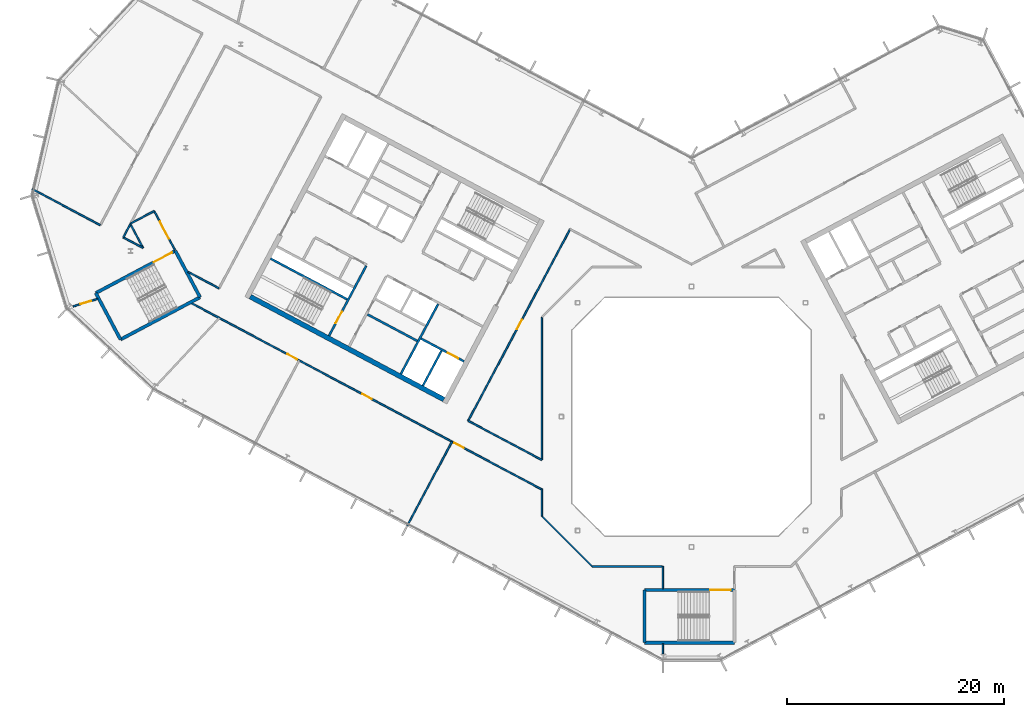
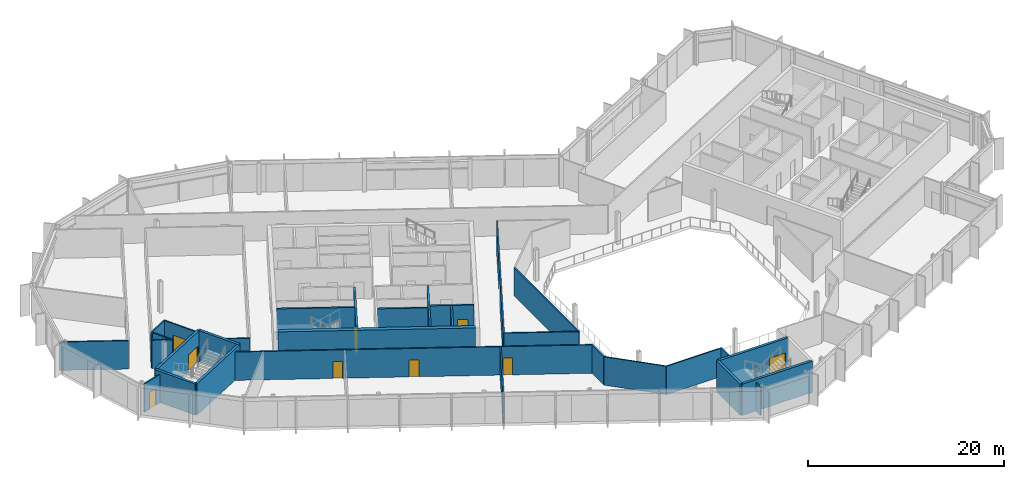
# One storey, part 12 of 25: 32 walls, 10 doors, 10 openings.
"""IFC4 building model written with IfcOpenShell, lengths in metres."""

from ifc_helpers import new_model, si_unit, direction, frame, frame_2d, origin, place, context, subcontext, project, spatial, rectangle, extrude, material, layer, layer_set, type_object, element, fill, save


model = new_model("IFC4")

# Units and contexts
model_context = context("Model", 3, precision=1e-05, world=origin(), true_north=direction((0.0, 1.0)))
body_context = subcontext(model_context, "Body", "Model", "MODEL_VIEW")
ifc_project = project(units=[si_unit("LENGTHUNIT", "METRE"), si_unit("AREAUNIT", "SQUARE_METRE"), si_unit("VOLUMEUNIT", "CUBIC_METRE"), si_unit("PLANEANGLEUNIT", "RADIAN"), si_unit("MASSUNIT", "GRAM", prefix="KILO")], contexts=[model_context])

# Site, building, storey
site_placement = place(None, origin())
site = spatial("IfcSite", under=ifc_project, at=site_placement, CompositionType="ELEMENT")
building_placement = place(site_placement, origin())
building = spatial("IfcBuilding", under=site, at=building_placement, Name="Cormorant Relay Tower", CompositionType="ELEMENT")
storey_placement = place(building_placement, frame((0.0, 0.0, 297.0)))
storey = spatial("IfcBuildingStorey", under=building, at=storey_placement, Name="L67", CompositionType="ELEMENT", Elevation=297.0)

# Walls
ifc_material_1 = material(Name="Concrete 40 MPa", Category="concrete")
ifc_layer_1 = layer(ifc_material_1, 0.199951171875)
ifc_layer_set_1 = layer_set([ifc_layer_1], Name="Core internal wall 200")
wall_type_1 = type_object("IfcWallType", Name="Core internal wall 200", PredefinedType="SOLIDWALL", material=ifc_layer_set_1)
wall_1_placement = place(storey_placement, frame((-25.279541015625, 6.985595703125, 0.0), z_axis=(0.0, 0.0, 1.0), x_axis=(-0.882934506056, 0.469496174655, 0.0)))
element("IfcWall", 1, at=wall_1_placement, inside=storey, type_object=wall_type_1, Name="L67 core A shaft and room wall", PredefinedType="SOLIDWALL", context=body_context, shape_type="SweptSolid", body=[
    extrude(rectangle(XDim=5.199951171875, YDim=0.199951171875, at=frame_2d((2.60009765625, 0.0))), origin(), (0.0, 0.0, 1.0), 3.89990234375),
])
ifc_material_2 = material(Name="Concrete 50 MPa", Category="concrete")
ifc_layer_2 = layer(ifc_material_2, 0.199951171875)
ifc_layer_set_2 = layer_set([ifc_layer_2], Name="Core shaft wall 200")
wall_type_2 = type_object("IfcWallType", Name="Core shaft wall 200", PredefinedType="SHEAR", material=ifc_layer_set_2)
wall_2_placement = place(storey_placement, frame((-23.04296875, 6.07958984375, 0.0), z_axis=(0.0, 0.0, 1.0), x_axis=(-0.469494272526, -0.882935517501, 0.0)))
element("IfcWall", 2, at=wall_2_placement, inside=storey, type_object=wall_type_2, Name="L67 core A shaft wall", PredefinedType="SHEAR", context=body_context, shape_type="SweptSolid", body=[
    extrude(rectangle(XDim=3.64990234375, YDim=0.199951171875, at=frame_2d((1.824951171875, 0.0))), origin(), (0.0, 0.0, 1.0), 3.89990234375),
])
wall_3_placement = place(storey_placement, frame((-23.360107421875, 10.38232421875, 0.0), z_axis=(0.0, 0.0, 1.0), x_axis=(-0.469480409012, -0.88294288918, 0.0)))
element("IfcWall", 3, at=wall_3_placement, inside=storey, type_object=wall_type_2, Name="L67 core A shaft wall", PredefinedType="SHEAR", context=body_context, shape_type="SweptSolid", body=[
    extrude(rectangle(XDim=7.300048828125, YDim=0.199951171875, at=frame_2d((3.64990234375, 0.0))), origin(), (0.0, 0.0, 1.0), 3.89990234375),
])

# Wall, opening, door
wall_4_placement = place(storey_placement, frame((-29.982421875, 13.9033203125, 0.0), z_axis=(0.0, 0.0, 1.0), x_axis=(-0.469454336211, -0.882956752176, 0.0)))
wall_4 = element("IfcWall", 4, at=wall_4_placement, inside=storey, type_object=wall_type_2, Name="L67 core A shaft wall", PredefinedType="SHEAR", context=body_context, shape_type="SweptSolid", body=[
    extrude(rectangle(XDim=7.300048828125, YDim=0.199951171875, at=frame_2d((3.64990234375, 0.0))), origin(), (0.0, 0.0, 1.0), 3.89990234375),
])
opening_1_placement = place(wall_4_placement, frame((4.800048828125, 0.0, 0.0)))
opening_1 = element("IfcOpeningElement", 5, at=opening_1_placement, cuts=wall_4, Name="Opening CDB-039", PredefinedType="OPENING", context=body_context, shape_type="SweptSolid", body=[
    extrude(rectangle(XDim=1.199951171875, YDim=2.10009765625, at=frame_2d((0.60009765625, 1.050048828125))), frame((0.0, 0.10986328125, 0.0), z_axis=(0.0, -1.0, 0.0), x_axis=(1.0, 0.0, 0.0)), (0.0, 0.0, 1.0), 0.219970703125),
])
ifc_material_3 = material(Name="Steel fire door", Category="steel")
door_type_1 = type_object("IfcDoorType", Name="Core stair door 1200x2100", OperationType="SINGLE_SWING_LEFT", PredefinedType="DOOR", material=ifc_material_3)
door_1_placement = place(opening_1_placement, frame((1.199951171875, 0.0, 0.0), z_axis=(0.0, 0.0, 1.0), x_axis=(-1.0, 0.0, 0.0)))
door_1 = element("IfcDoor", 6, at=door_1_placement, inside=storey, type_object=door_type_1, Name="Core stair door 1200x2100", OperationType="SINGLE_SWING_RIGHT", OverallHeight=2.10009765625, OverallWidth=1.199951171875, PredefinedType="DOOR", context=body_context, shape_type="SweptSolid", body=[
    extrude(rectangle(XDim=1.199951171875, YDim=2.10009765625, at=frame_2d((0.60009765625, 1.050048828125))), frame((0.0, 0.02490234375, 0.0), z_axis=(0.0, -1.0, 0.0), x_axis=(1.0, 0.0, 0.0)), (0.0, 0.0, 1.0), 0.050048828125),
])
fill(opening_1, door_1)

wall_5_placement = place(storey_placement, frame((-20.96533203125, 5.088134765625, 0.0), z_axis=(0.0, 0.0, 1.0), x_axis=(-0.882925986334, 0.469512196493, 0.0)))
wall_5 = element("IfcWall", 7, at=wall_5_placement, inside=storey, type_object=wall_type_2, Name="L67 core A shaft wall", PredefinedType="SHEAR", context=body_context, shape_type="SweptSolid", body=[
    extrude(rectangle(XDim=4.5, YDim=0.199951171875, at=frame_2d((2.25, 0.0))), origin(), (0.0, 0.0, 1.0), 3.89990234375),
])
opening_2_placement = place(wall_5_placement, frame((0.60009765625, 0.0, 0.0)))
opening_2 = element("IfcOpeningElement", 8, at=opening_2_placement, cuts=wall_5, Name="Opening LD1-063", PredefinedType="OPENING", context=body_context, shape_type="SweptSolid", body=[
    extrude(rectangle(XDim=1.10009765625, YDim=2.10009765625, at=frame_2d((0.550048828125, 1.050048828125))), frame((0.0, 0.10986328125, 0.0), z_axis=(0.0, -1.0, 0.0), x_axis=(1.0, 0.0, 0.0)), (0.0, 0.0, 1.0), 0.219970703125),
])
ifc_material_4 = material(Name="Stainless steel 316", Category="steel")
door_type_2 = type_object("IfcDoorType", Name="Lift landing door 1100x2100", OperationType="DOUBLE_DOOR_SLIDING", PredefinedType="DOOR", material=ifc_material_4)
door_2_placement = place(opening_2_placement, origin())
door_2 = element("IfcDoor", 9, at=door_2_placement, inside=storey, type_object=door_type_2, Name="FF1 landing door", OperationType="DOUBLE_DOOR_SLIDING", OverallHeight=2.10009765625, OverallWidth=1.10009765625, PredefinedType="DOOR", context=body_context, shape_type="SweptSolid", body=[
    extrude(rectangle(XDim=1.10009765625, YDim=2.10009765625, at=frame_2d((0.550048828125, 1.050048828125))), frame((0.0, 0.02490234375, 0.0), z_axis=(0.0, -1.0, 0.0), x_axis=(1.0, 0.0, 0.0)), (0.0, 0.0, 1.0), 0.050048828125),
])
fill(opening_2, door_2)

# Walls
wall_6_placement = place(storey_placement, frame((-31.7373046875, 10.815673828125, 0.0), z_axis=(0.0, 0.0, 1.0), x_axis=(-0.882940221191, 0.469485426614, 0.0)))
element("IfcWall", 10, at=wall_6_placement, inside=storey, type_object=wall_type_2, Name="L67 core A shaft wall", PredefinedType="SHEAR", context=body_context, shape_type="SweptSolid", body=[
    extrude(rectangle(XDim=8.0, YDim=0.199951171875, at=frame_2d((4.0, 0.0))), origin(), (0.0, 0.0, 1.0), 3.89990234375),
])
ifc_material_5 = material(Name="Concrete 50 MPa", Category="concrete")
ifc_layer_3 = layer(ifc_material_5, 0.449951171875)
ifc_layer_set_3 = layer_set([ifc_layer_3], Name="Core wall 450")
wall_type_3 = type_object("IfcWallType", Name="Core wall 450", PredefinedType="SHEAR", material=ifc_layer_set_3)
wall_7_placement = place(storey_placement, frame((-22.83154296875, 1.578369140625, 0.0), z_axis=(0.0, 0.0, 1.0), x_axis=(-0.88294509198, 0.469476266226, 0.0)))
element("IfcWall", 11, at=wall_7_placement, inside=storey, type_object=wall_type_3, Name="L67 core A wall", PredefinedType="SHEAR", context=body_context, shape_type="SweptSolid", body=[
    extrude(rectangle(XDim=20.199951171875, YDim=0.449951171875, at=frame_2d((10.10009765625, 0.0))), origin(), (0.0, 0.0, 1.0), 3.89990234375),
])
ifc_material_6 = material(Name="Gypsum board fire partition")
ifc_layer_4 = layer(ifc_material_6, 0.14990234375)
ifc_layer_set_4 = layer_set([ifc_layer_4], Name="Corridor partition 150 EI 60")
wall_type_4 = type_object("IfcWallType", Name="Corridor partition 150 EI 60", PredefinedType="PARTITIONING", material=ifc_layer_set_4)
wall_8_placement = place(storey_placement, frame((-54.492919921875, 17.64892578125, 0.0), z_axis=(0.0, 0.0, 1.0), x_axis=(-0.882938254124, 0.469489125971, 0.0)))
element("IfcWall", 12, at=wall_8_placement, inside=storey, type_object=wall_type_4, Name="wall/L67/part/004", PredefinedType="PARTITIONING", context=body_context, shape_type="SweptSolid", body=[
    extrude(rectangle(XDim=7.127197265625, YDim=0.14990234375, at=frame_2d((3.5634765625, 0.0))), origin(), (0.0, 0.0, 1.0), 3.5400390625),
])

# Wall, opening, door
wall_9_placement = place(storey_placement, frame((-54.73193359375, 10.85693359375, 0.0), z_axis=(0.0, 0.0, 1.0), x_axis=(-0.956231519395, -0.292611143525, 0.0)))
wall_9 = element("IfcWall", 13, at=wall_9_placement, inside=storey, type_object=wall_type_4, Name="wall/L67/part/005", PredefinedType="PARTITIONING", context=body_context, shape_type="SweptSolid", body=[
    extrude(rectangle(XDim=2.385498046875, YDim=0.14990234375, at=frame_2d((1.19287109375, 0.0))), origin(), (0.0, 0.0, 1.0), 3.5400390625),
])
opening_3_placement = place(wall_9_placement, frame((0.64990234375, 0.0, 0.0)))
opening_3 = element("IfcOpeningElement", 14, at=opening_3_placement, cuts=wall_9, Name="Opening DS-236", PredefinedType="OPENING", context=body_context, shape_type="SweptSolid", body=[
    extrude(rectangle(XDim=1.0, YDim=2.10009765625, at=frame_2d((0.5, 1.050048828125))), frame((0.0, 0.0849609375, 0.0), z_axis=(0.0, -1.0, 0.0), x_axis=(1.0, 0.0, 0.0)), (0.0, 0.0, 1.0), 0.169921875),
])
ifc_material_7 = material(Name="Timber door leaf", Category="wood")
door_type_3 = type_object("IfcDoorType", Name="Suite door 1000x2100", OperationType="SINGLE_SWING_LEFT", PredefinedType="DOOR", material=ifc_material_7)
door_3_placement = place(opening_3_placement, frame((1.0, 0.0, 0.0), z_axis=(0.0, 0.0, 1.0), x_axis=(-1.0, 0.0, 0.0)))
door_3 = element("IfcDoor", 15, at=door_3_placement, inside=storey, type_object=door_type_3, Name="door/L67/008", OperationType="SINGLE_SWING_RIGHT", OverallHeight=2.10009765625, OverallWidth=1.0, PredefinedType="DOOR", context=body_context, shape_type="SweptSolid", body=[
    extrude(rectangle(XDim=1.0, YDim=2.10009765625, at=frame_2d((0.5, 1.050048828125))), frame((0.0, 0.02490234375, 0.0), z_axis=(0.0, -1.0, 0.0), x_axis=(1.0, 0.0, 0.0)), (0.0, 0.0, 1.0), 0.050048828125),
])
fill(opening_3, door_3)

wall_10_placement = place(storey_placement, frame((-47.62109375, 15.3779296875, 0.0), z_axis=(0.0, 0.0, 1.0), x_axis=(-0.469542997944, 0.882909606404, 0.0)))
wall_10 = element("IfcWall", 16, at=wall_10_placement, inside=storey, type_object=wall_type_4, Name="wall/L67/part/010", PredefinedType="PARTITIONING", context=body_context, shape_type="SweptSolid", body=[
    extrude(rectangle(XDim=4.050537109375, YDim=0.14990234375, at=frame_2d((2.025390625, 0.0))), origin(), (0.0, 0.0, 1.0), 3.5400390625),
])
opening_4_placement = place(wall_10_placement, frame((1.14990234375, 0.0, 0.0)))
opening_4 = element("IfcOpeningElement", 17, at=opening_4_placement, cuts=wall_10, Name="Opening DD-040", PredefinedType="OPENING", context=body_context, shape_type="SweptSolid", body=[
    extrude(rectangle(XDim=1.800048828125, YDim=2.10009765625, at=frame_2d((0.89990234375, 1.050048828125))), frame((0.0, 0.0849609375, 0.0), z_axis=(0.0, -1.0, 0.0), x_axis=(1.0, 0.0, 0.0)), (0.0, 0.0, 1.0), 0.169921875),
])
ifc_material_8 = material(Name="Timber door leaf", Category="wood")
door_type_4 = type_object("IfcDoorType", Name="Suite double door 1800x2100", OperationType="DOUBLE_DOOR_SINGLE_SWING", PredefinedType="DOOR", material=ifc_material_8)
door_4_placement = place(opening_4_placement, origin())
door_4 = element("IfcDoor", 18, at=door_4_placement, inside=storey, type_object=door_type_4, Name="door/L67/003", OperationType="DOUBLE_DOOR_SINGLE_SWING", OverallHeight=2.10009765625, OverallWidth=1.800048828125, PredefinedType="DOOR", context=body_context, shape_type="SweptSolid", body=[
    extrude(rectangle(XDim=1.800048828125, YDim=2.10009765625, at=frame_2d((0.89990234375, 1.050048828125))), frame((0.0, 0.02490234375, 0.0), z_axis=(0.0, -1.0, 0.0), x_axis=(1.0, 0.0, 0.0)), (0.0, 0.0, 1.0), 0.050048828125),
])
fill(opening_4, door_4)

# Walls
wall_11_placement = place(storey_placement, frame((-49.52294921875, 18.9541015625, 0.0), z_axis=(0.0, 0.0, 1.0), x_axis=(-0.882767334528, -0.469810422501, 0.0)))
element("IfcWall", 19, at=wall_11_placement, inside=storey, type_object=wall_type_4, Name="wall/L67/part/011", PredefinedType="PARTITIONING", context=body_context, shape_type="SweptSolid", body=[
    extrude(rectangle(XDim=2.460693359375, YDim=0.14990234375, at=frame_2d((1.23046875, 0.0))), origin(), (0.0, 0.0, 1.0), 3.5400390625),
])
wall_12_placement = place(storey_placement, frame((-43.5439453125, 11.826904296875, 0.0), z_axis=(0.0, 0.0, 1.0), x_axis=(-0.882974130461, 0.469421649411, 0.0)))
element("IfcWall", 20, at=wall_12_placement, inside=storey, type_object=wall_type_4, Name="wall/L67/part/015", PredefinedType="PARTITIONING", context=body_context, shape_type="SweptSolid", body=[
    extrude(rectangle(XDim=3.238037109375, YDim=0.14990234375, at=frame_2d((1.619140625, 0.0))), origin(), (0.0, 0.0, 1.0), 3.5400390625),
])

# Wall, openings, doors
wall_13_placement = place(storey_placement, frame((-13.800048828125, -6.7060546875, 0.0), z_axis=(0.0, 0.0, 1.0), x_axis=(-0.882947286887, 0.469472138235, 0.0)))
wall_13 = element("IfcWall", 21, at=wall_13_placement, inside=storey, type_object=wall_type_4, Name="wall/L67/part/016", PredefinedType="PARTITIONING", context=body_context, shape_type="SweptSolid", body=[
    extrude(rectangle(XDim=36.57080078125, YDim=0.14990234375, at=frame_2d((18.285400390625, 0.0))), origin(), (0.0, 0.0, 1.0), 3.5400390625),
])
opening_5_placement = place(wall_13_placement, frame((25.550048828125, 0.0, 0.0)))
opening_5 = element("IfcOpeningElement", 22, at=opening_5_placement, cuts=wall_13, Name="Opening DS-237", PredefinedType="OPENING", context=body_context, shape_type="SweptSolid", body=[
    extrude(rectangle(XDim=1.0, YDim=2.10009765625, at=frame_2d((0.5, 1.050048828125))), frame((0.0, 0.0849609375, 0.0), z_axis=(0.0, -1.0, 0.0), x_axis=(1.0, 0.0, 0.0)), (0.0, 0.0, 1.0), 0.169921875),
])
opening_6_placement = place(wall_13_placement, frame((17.75, 0.0, 0.0)))
opening_6 = element("IfcOpeningElement", 23, at=opening_6_placement, cuts=wall_13, Name="Opening DS-238", PredefinedType="OPENING", context=body_context, shape_type="SweptSolid", body=[
    extrude(rectangle(XDim=1.0, YDim=2.10009765625, at=frame_2d((0.5, 1.050048828125))), frame((0.0, 0.0849609375, 0.0), z_axis=(0.0, -1.0, 0.0), x_axis=(1.0, 0.0, 0.0)), (0.0, 0.0, 1.0), 0.169921875),
])
opening_7_placement = place(wall_13_placement, frame((8.14990234375, 0.0, 0.0)))
opening_7 = element("IfcOpeningElement", 24, at=opening_7_placement, cuts=wall_13, Name="Opening DS-239", PredefinedType="OPENING", context=body_context, shape_type="SweptSolid", body=[
    extrude(rectangle(XDim=1.0, YDim=2.10009765625, at=frame_2d((0.5, 1.050048828125))), frame((0.0, 0.0849609375, 0.0), z_axis=(0.0, -1.0, 0.0), x_axis=(1.0, 0.0, 0.0)), (0.0, 0.0, 1.0), 0.169921875),
])
door_5_placement = place(opening_5_placement, frame((1.0, 0.0, 0.0), z_axis=(0.0, 0.0, 1.0), x_axis=(-1.0, 0.0, 0.0)))
door_5 = element("IfcDoor", 25, at=door_5_placement, inside=storey, type_object=door_type_3, Name="door/L67/009", OperationType="SINGLE_SWING_RIGHT", OverallHeight=2.10009765625, OverallWidth=1.0, PredefinedType="DOOR", context=body_context, shape_type="SweptSolid", body=[
    extrude(rectangle(XDim=1.0, YDim=2.10009765625, at=frame_2d((0.5, 1.050048828125))), frame((0.0, 0.02490234375, 0.0), z_axis=(0.0, -1.0, 0.0), x_axis=(1.0, 0.0, 0.0)), (0.0, 0.0, 1.0), 0.050048828125),
])
fill(opening_5, door_5)
door_6_placement = place(opening_6_placement, frame((1.0, 0.0, 0.0), z_axis=(0.0, 0.0, 1.0), x_axis=(-1.0, 0.0, 0.0)))
door_6 = element("IfcDoor", 26, at=door_6_placement, inside=storey, type_object=door_type_3, Name="door/L67/010", OperationType="SINGLE_SWING_RIGHT", OverallHeight=2.10009765625, OverallWidth=1.0, PredefinedType="DOOR", context=body_context, shape_type="SweptSolid", body=[
    extrude(rectangle(XDim=1.0, YDim=2.10009765625, at=frame_2d((0.5, 1.050048828125))), frame((0.0, 0.02490234375, 0.0), z_axis=(0.0, -1.0, 0.0), x_axis=(1.0, 0.0, 0.0)), (0.0, 0.0, 1.0), 0.050048828125),
])
fill(opening_6, door_6)
door_7_placement = place(opening_7_placement, frame((1.0, 0.0, 0.0), z_axis=(0.0, 0.0, 1.0), x_axis=(-1.0, 0.0, 0.0)))
door_7 = element("IfcDoor", 27, at=door_7_placement, inside=storey, type_object=door_type_3, Name="door/L67/011", OperationType="SINGLE_SWING_RIGHT", OverallHeight=2.10009765625, OverallWidth=1.0, PredefinedType="DOOR", context=body_context, shape_type="SweptSolid", body=[
    extrude(rectangle(XDim=1.0, YDim=2.10009765625, at=frame_2d((0.5, 1.050048828125))), frame((0.0, 0.02490234375, 0.0), z_axis=(0.0, -1.0, 0.0), x_axis=(1.0, 0.0, 0.0)), (0.0, 0.0, 1.0), 0.050048828125),
])
fill(opening_7, door_7)

# Walls
wall_14_placement = place(storey_placement, frame((-2.693115234375, -13.800048828125, 0.0), z_axis=(0.0, 0.0, 1.0), x_axis=(-1.0, 0.0, 0.0)))
element("IfcWall", 28, at=wall_14_placement, inside=storey, type_object=wall_type_4, Name="wall/L67/part/022", PredefinedType="PARTITIONING", context=body_context, shape_type="SweptSolid", body=[
    extrude(rectangle(XDim=6.466796875, YDim=0.14990234375, at=frame_2d((3.2333984375, 0.0))), origin(), (0.0, 0.0, 1.0), 3.5400390625),
])
wall_15_placement = place(storey_placement, frame((-9.159912109375, -13.800048828125, 0.0), z_axis=(0.0, 0.0, 1.0), x_axis=(-0.707106781187, 0.707106781187, 0.0)))
element("IfcWall", 29, at=wall_15_placement, inside=storey, type_object=wall_type_4, Name="wall/L67/part/023", PredefinedType="PARTITIONING", context=body_context, shape_type="SweptSolid", body=[
    extrude(rectangle(XDim=6.562255859375, YDim=0.14990234375, at=frame_2d((3.28125, 0.0))), origin(), (0.0, 0.0, 1.0), 3.5400390625),
])
wall_16_placement = place(storey_placement, frame((-13.800048828125, -9.159912109375, 0.0), z_axis=(0.0, 0.0, 1.0), x_axis=(0.0, 1.0, 0.0)))
element("IfcWall", 30, at=wall_16_placement, inside=storey, type_object=wall_type_4, Name="wall/L67/part/024", PredefinedType="PARTITIONING", context=body_context, shape_type="SweptSolid", body=[
    extrude(rectangle(XDim=2.50390625, YDim=0.14990234375, at=frame_2d((1.251953125, 0.0))), origin(), (0.0, 0.0, 1.0), 3.5400390625),
])
wall_17_placement = place(storey_placement, frame((-2.64892578125, -15.875, 0.0), z_axis=(0.0, 0.0, 1.0), x_axis=(0.0, 1.0, 0.0)))
element("IfcWall", 31, at=wall_17_placement, inside=storey, type_object=wall_type_4, Name="wall/L67/part/026", PredefinedType="PARTITIONING", context=body_context, shape_type="SweptSolid", body=[
    extrude(rectangle(XDim=2.074951171875, YDim=0.14990234375, at=frame_2d((1.03759765625, 0.0))), origin(), (0.0, 0.0, 1.0), 3.5400390625),
])
wall_18_placement = place(storey_placement, frame((-51.717041015625, 17.757080078125, 0.0), z_axis=(0.0, 0.0, 1.0), x_axis=(-0.469618761384, -0.882869310236, 0.0)))
element("IfcWall", 32, at=wall_18_placement, inside=storey, type_object=wall_type_4, Name="wall/L67/part/043", PredefinedType="PARTITIONING", context=body_context, shape_type="SweptSolid", body=[
    extrude(rectangle(XDim=1.39892578125, YDim=0.14990234375, at=frame_2d((0.699462890625, 0.0))), origin(), (0.0, 0.0, 1.0), 3.5400390625),
])
wall_19_placement = place(storey_placement, frame((-52.3740234375, 16.52197265625, 0.0), z_axis=(0.0, 0.0, 1.0), x_axis=(0.882981472085, -0.469407839682, 0.0)))
element("IfcWall", 33, at=wall_19_placement, inside=storey, type_object=wall_type_4, Name="wall/L67/part/044", PredefinedType="PARTITIONING", context=body_context, shape_type="SweptSolid", body=[
    extrude(rectangle(XDim=2.072509765625, YDim=0.14990234375, at=frame_2d((1.0361328125, 0.0))), origin(), (0.0, 0.0, 1.0), 3.5400390625),
])
wall_20_placement = place(storey_placement, frame((-50.5439453125, 15.549072265625, 0.0), z_axis=(0.0, 0.0, 1.0), x_axis=(-0.469183782948, 0.883100547967, 0.0)))
element("IfcWall", 34, at=wall_20_placement, inside=storey, type_object=wall_type_4, Name="wall/L67/part/045", PredefinedType="PARTITIONING", context=body_context, shape_type="SweptSolid", body=[
    extrude(rectangle(XDim=2.500244140625, YDim=0.14990234375, at=frame_2d((1.25, 0.0))), origin(), (0.0, 0.0, 1.0), 3.5400390625),
])

# Wall, opening, door
wall_21_placement = place(storey_placement, frame((-20.587890625, -0.37890625, 0.0), z_axis=(0.0, 0.0, 1.0), x_axis=(0.469489882812, 0.882937851685, 0.0)))
wall_21 = element("IfcWall", 35, at=wall_21_placement, inside=storey, type_object=wall_type_4, Name="wall/L67/part/046", PredefinedType="PARTITIONING", context=body_context, shape_type="SweptSolid", body=[
    extrude(rectangle(XDim=20.000244140625, YDim=0.14990234375, at=frame_2d((10.0, 0.0))), origin(), (0.0, 0.0, 1.0), 3.5400390625),
])
opening_8_placement = place(wall_21_placement, frame((9.550048828125, 0.0, 0.0)))
opening_8 = element("IfcOpeningElement", 36, at=opening_8_placement, cuts=wall_21, Name="Opening DS-234", PredefinedType="OPENING", context=body_context, shape_type="SweptSolid", body=[
    extrude(rectangle(XDim=1.0, YDim=2.10009765625, at=frame_2d((0.5, 1.050048828125))), frame((0.0, 0.0849609375, 0.0), z_axis=(0.0, -1.0, 0.0), x_axis=(1.0, 0.0, 0.0)), (0.0, 0.0, 1.0), 0.169921875),
])
door_8_placement = place(opening_8_placement, origin())
door_8 = element("IfcDoor", 37, at=door_8_placement, inside=storey, type_object=door_type_3, Name="door/L67/004", OperationType="SINGLE_SWING_RIGHT", OverallHeight=2.10009765625, OverallWidth=1.0, PredefinedType="DOOR", context=body_context, shape_type="SweptSolid", body=[
    extrude(rectangle(XDim=1.0, YDim=2.10009765625, at=frame_2d((0.5, 1.050048828125))), frame((0.0, 0.02490234375, 0.0), z_axis=(0.0, -1.0, 0.0), x_axis=(1.0, 0.0, 0.0)), (0.0, 0.0, 1.0), 0.050048828125),
])
fill(opening_8, door_8)

# Walls
wall_22_placement = place(storey_placement, frame((-13.800048828125, 9.159912109375, 0.0), z_axis=(0.0, 0.0, 1.0), x_axis=(0.0, -1.0, 0.0)))
element("IfcWall", 38, at=wall_22_placement, inside=storey, type_object=wall_type_4, Name="wall/L67/part/050", PredefinedType="PARTITIONING", context=body_context, shape_type="SweptSolid", body=[
    extrude(rectangle(XDim=13.14794921875, YDim=0.14990234375, at=frame_2d((6.573974609375, 0.0))), origin(), (0.0, 0.0, 1.0), 3.5400390625),
])
wall_23_placement = place(storey_placement, frame((-13.800048828125, -3.988037109375, 0.0), z_axis=(0.0, 0.0, 1.0), x_axis=(-0.882949137368, 0.469468657976, 0.0)))
element("IfcWall", 39, at=wall_23_placement, inside=storey, type_object=wall_type_4, Name="wall/L67/part/051", PredefinedType="PARTITIONING", context=body_context, shape_type="SweptSolid", body=[
    extrude(rectangle(XDim=7.687744140625, YDim=0.14990234375, at=frame_2d((3.84375, 0.0))), origin(), (0.0, 0.0, 1.0), 3.5400390625),
])
ifc_material_9 = material(Name="Concrete 50 MPa", Category="concrete")
ifc_layer_5 = layer(ifc_material_9, 0.300048828125)
ifc_layer_set_5 = layer_set([ifc_layer_5], Name="Remote stair wall 300")
wall_type_5 = type_object("IfcWallType", Name="Remote stair wall 300", PredefinedType="SHEAR", material=ifc_layer_set_5)
wall_24_placement = place(storey_placement, frame((3.949951171875, -20.824951171875, 0.0), z_axis=(0.0, 0.0, 1.0), x_axis=(-1.0, 0.0, 0.0)))
element("IfcWall", 40, at=wall_24_placement, inside=storey, type_object=wall_type_5, Name="L67 exit stair RK1 wall", PredefinedType="SHEAR", context=body_context, shape_type="SweptSolid", body=[
    extrude(rectangle(XDim=8.300048828125, YDim=0.300048828125, at=frame_2d((4.14990234375, 0.0))), origin(), (0.0, 0.0, 1.0), 3.89990234375),
])
wall_25_placement = place(storey_placement, frame((-4.35009765625, -20.824951171875, 0.0), z_axis=(0.0, 0.0, 1.0), x_axis=(0.0, 1.0, 0.0)))
element("IfcWall", 41, at=wall_25_placement, inside=storey, type_object=wall_type_5, Name="L67 exit stair RK1 wall", PredefinedType="SHEAR", context=body_context, shape_type="SweptSolid", body=[
    extrude(rectangle(XDim=4.849853515625, YDim=0.300048828125, at=frame_2d((2.4248046875, 0.0))), origin(), (0.0, 0.0, 1.0), 3.89990234375),
])

# Wall, opening, door
wall_26_placement = place(storey_placement, frame((-4.35009765625, -15.97509765625, 0.0), z_axis=(0.0, 0.0, 1.0), x_axis=(1.0, 0.0, 0.0)))
wall_26 = element("IfcWall", 42, at=wall_26_placement, inside=storey, type_object=wall_type_5, Name="L67 exit stair RK1 wall", PredefinedType="SHEAR", context=body_context, shape_type="SweptSolid", body=[
    extrude(rectangle(XDim=8.300048828125, YDim=0.300048828125, at=frame_2d((4.14990234375, 0.0))), origin(), (0.0, 0.0, 1.0), 3.89990234375),
])
opening_9_placement = place(wall_26_placement, frame((6.050048828125, 0.0, 0.0)))
opening_9 = element("IfcOpeningElement", 43, at=opening_9_placement, cuts=wall_26, Name="Opening CDE-016", PredefinedType="OPENING", context=body_context, shape_type="SweptSolid", body=[
    extrude(rectangle(XDim=1.89990234375, YDim=2.10009765625, at=frame_2d((0.949951171875, 1.050048828125))), frame((0.0, 0.159912109375, 0.0), z_axis=(0.0, -1.0, 0.0), x_axis=(1.0, 0.0, 0.0)), (0.0, 0.0, 1.0), 0.320068359375),
])
ifc_material_10 = material(Name="Steel fire door", Category="steel")
door_type_5 = type_object("IfcDoorType", Name="Remote stair door 1900x2100", OperationType="DOUBLE_DOOR_SINGLE_SWING", PredefinedType="DOOR", material=ifc_material_10)
door_9_placement = place(opening_9_placement, origin())
door_9 = element("IfcDoor", 44, at=door_9_placement, inside=storey, type_object=door_type_5, Name="Exit stair RK1 door", OperationType="DOUBLE_DOOR_SINGLE_SWING", OverallHeight=2.10009765625, OverallWidth=1.89990234375, PredefinedType="DOOR", context=body_context, shape_type="SweptSolid", body=[
    extrude(rectangle(XDim=1.89990234375, YDim=2.10009765625, at=frame_2d((0.949951171875, 1.050048828125))), frame((0.0, 0.02490234375, 0.0), z_axis=(0.0, -1.0, 0.0), x_axis=(1.0, 0.0, 0.0)), (0.0, 0.0, 1.0), 0.050048828125),
])
fill(opening_9, door_9)

# Walls
wall_27_placement = place(storey_placement, frame((-47.57421875, 15.28955078125, 0.0), z_axis=(0.0, 0.0, 1.0), x_axis=(0.469443498566, -0.882962514297, 0.0)))
element("IfcWall", 45, at=wall_27_placement, inside=storey, type_object=wall_type_5, Name="L67 exit stair RP1 wall", PredefinedType="SHEAR", context=body_context, shape_type="SweptSolid", body=[
    extrude(rectangle(XDim=4.85009765625, YDim=0.300048828125, at=frame_2d((2.425048828125, 0.0))), origin(), (0.0, 0.0, 1.0), 3.89990234375),
])
wall_28_placement = place(storey_placement, frame((-45.29736328125, 11.007080078125, 0.0), z_axis=(0.0, 0.0, 1.0), x_axis=(-0.882951519127, -0.469464178475, 0.0)))
element("IfcWall", 46, at=wall_28_placement, inside=storey, type_object=wall_type_5, Name="L67 exit stair RP1 wall", PredefinedType="SHEAR", context=body_context, shape_type="SweptSolid", body=[
    extrude(rectangle(XDim=8.2998046875, YDim=0.300048828125, at=frame_2d((4.14990234375, 0.0))), origin(), (0.0, 0.0, 1.0), 3.89990234375),
])
wall_29_placement = place(storey_placement, frame((-52.625732421875, 7.110595703125, 0.0), z_axis=(0.0, 0.0, 1.0), x_axis=(-0.469464364128, 0.882951420416, 0.0)))
element("IfcWall", 47, at=wall_29_placement, inside=storey, type_object=wall_type_5, Name="L67 exit stair RP1 wall", PredefinedType="SHEAR", context=body_context, shape_type="SweptSolid", body=[
    extrude(rectangle(XDim=4.849853515625, YDim=0.300048828125, at=frame_2d((2.4248046875, 0.0))), origin(), (0.0, 0.0, 1.0), 3.89990234375),
])

# Wall, opening, door
wall_30_placement = place(storey_placement, frame((-54.902587890625, 11.392822265625, 0.0), z_axis=(0.0, 0.0, 1.0), x_axis=(0.882939326045, 0.469487110071, 0.0)))
wall_30 = element("IfcWall", 48, at=wall_30_placement, inside=storey, type_object=wall_type_5, Name="L67 exit stair RP1 wall", PredefinedType="SHEAR", context=body_context, shape_type="SweptSolid", body=[
    extrude(rectangle(XDim=8.300048828125, YDim=0.300048828125, at=frame_2d((4.14990234375, 0.0))), origin(), (0.0, 0.0, 1.0), 3.89990234375),
])
opening_10_placement = place(wall_30_placement, frame((6.050048828125, 0.0, 0.0)))
opening_10 = element("IfcOpeningElement", 49, at=opening_10_placement, cuts=wall_30, Name="Opening CDE-017", PredefinedType="OPENING", context=body_context, shape_type="SweptSolid", body=[
    extrude(rectangle(XDim=1.89990234375, YDim=2.10009765625, at=frame_2d((0.949951171875, 1.050048828125))), frame((0.0, 0.159912109375, 0.0), z_axis=(0.0, -1.0, 0.0), x_axis=(1.0, 0.0, 0.0)), (0.0, 0.0, 1.0), 0.320068359375),
])
door_10_placement = place(opening_10_placement, origin())
door_10 = element("IfcDoor", 50, at=door_10_placement, inside=storey, type_object=door_type_5, Name="Exit stair RP1 door", OperationType="DOUBLE_DOOR_SINGLE_SWING", OverallHeight=2.10009765625, OverallWidth=1.89990234375, PredefinedType="DOOR", context=body_context, shape_type="SweptSolid", body=[
    extrude(rectangle(XDim=1.89990234375, YDim=2.10009765625, at=frame_2d((0.949951171875, 1.050048828125))), frame((0.0, 0.02490234375, 0.0), z_axis=(0.0, -1.0, 0.0), x_axis=(1.0, 0.0, 0.0)), (0.0, 0.0, 1.0), 0.050048828125),
])
fill(opening_10, door_10)

# Walls
ifc_material_11 = material(Name="Gypsum board partition")
ifc_layer_6 = layer(ifc_material_11, 0.14990234375)
ifc_layer_set_6 = layer_set([ifc_layer_6], Name="Tenant partition 150")
wall_type_6 = type_object("IfcWallType", Name="Tenant partition 150", PredefinedType="PARTITIONING", material=ifc_layer_set_6)
wall_31_placement = place(storey_placement, frame((-22.0830078125, -2.302001953125, 0.0), z_axis=(0.0, 0.0, 1.0), x_axis=(-0.469445946219, -0.882961212952, 0.0)))
element("IfcWall", 51, at=wall_31_placement, inside=storey, type_object=wall_type_6, Name="wall/L67/part/019", PredefinedType="PARTITIONING", context=body_context, shape_type="SweptSolid", body=[
    extrude(rectangle(XDim=8.800048828125, YDim=0.14990234375, at=frame_2d((4.39990234375, 0.0))), origin(), (0.0, 0.0, 1.0), 3.5400390625),
])
wall_32_placement = place(storey_placement, frame((-2.64892578125, -20.925048828125, 0.0), z_axis=(0.0, 0.0, 1.0), x_axis=(0.0, -1.0, 0.0)))
element("IfcWall", 52, at=wall_32_placement, inside=storey, type_object=wall_type_6, Name="wall/L67/part/027", PredefinedType="PARTITIONING", context=body_context, shape_type="SweptSolid", body=[
    extrude(rectangle(XDim=0.966064453125, YDim=0.14990234375, at=frame_2d((0.48291015625, 0.0))), origin(), (0.0, 0.0, 1.0), 3.5400390625),
])

save(model, "model.ifc")
